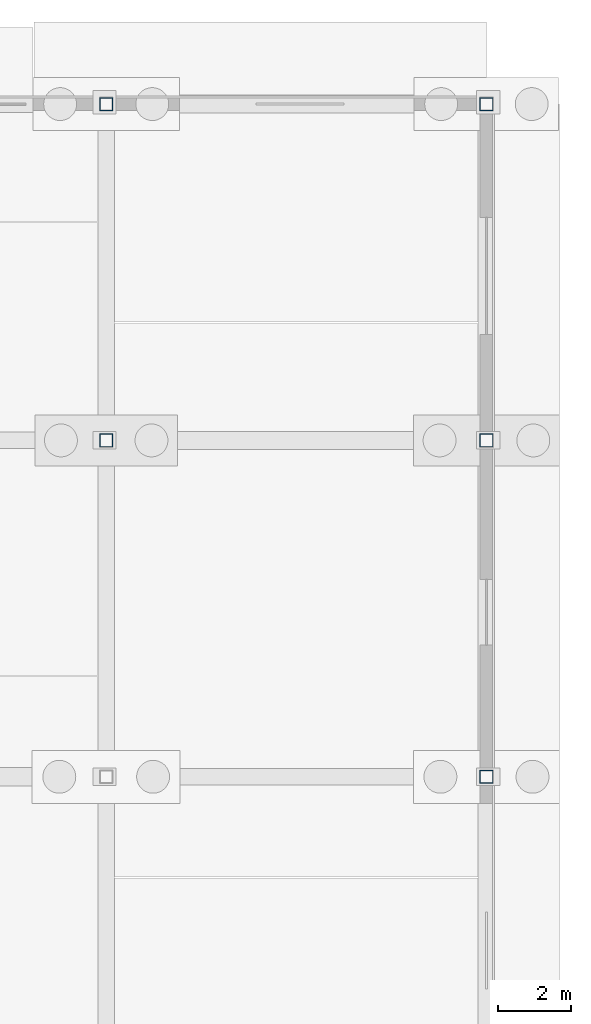
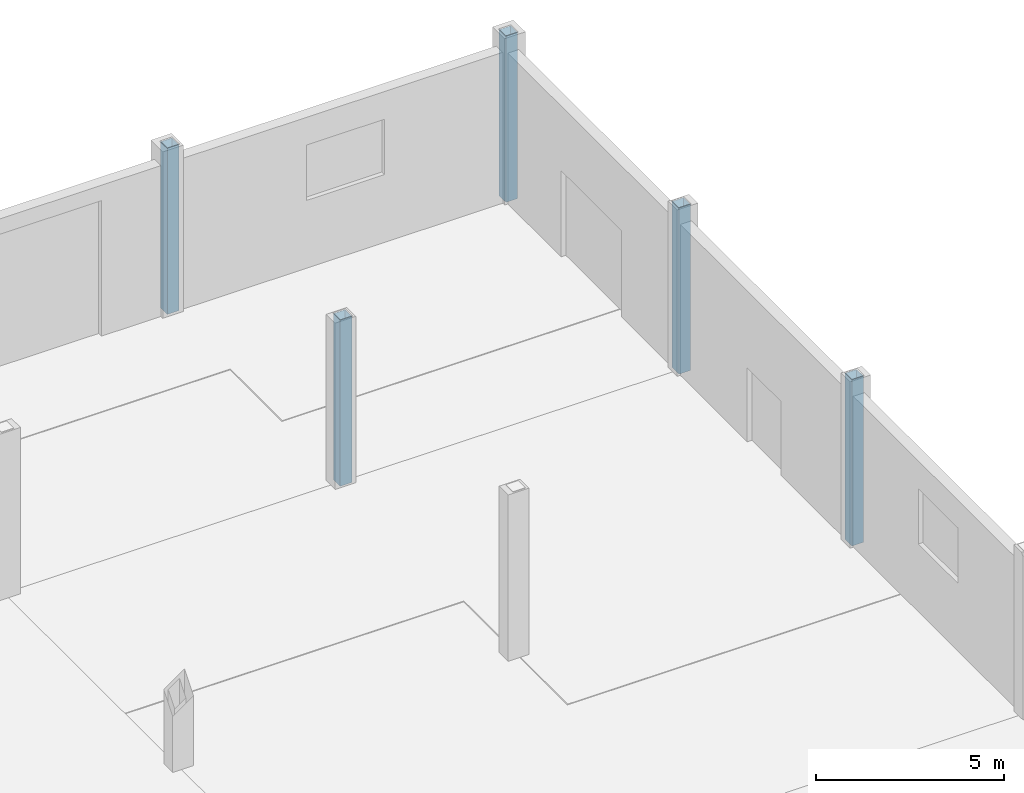
# One storey, part 35 of 83: 5 columns.
"""IFC4 building model written with IfcOpenShell, lengths in metres."""

from ifc_helpers import new_model, si_unit, direction, frame, origin, origin_2d, place, context, subcontext, project, spatial, hollow_rectangle, extrude, material, material_profile, profile_set, type_object, element, save


model = new_model("IFC4")

# Units and contexts
model_context = context("Model", 3, precision=1e-05, world=origin(), true_north=direction((0.0, 1.0)))
body_context = subcontext(model_context, "Body", "Model", "MODEL_VIEW")
ifc_project = project(units=[si_unit("LENGTHUNIT", "METRE"), si_unit("AREAUNIT", "SQUARE_METRE"), si_unit("VOLUMEUNIT", "CUBIC_METRE"), si_unit("PLANEANGLEUNIT", "RADIAN"), si_unit("MASSUNIT", "GRAM", prefix="KILO")], contexts=[model_context])

# Site, building, storey
site_placement = place(None, origin())
site = spatial("IfcSite", under=ifc_project, at=site_placement, CompositionType="ELEMENT")
building_placement = place(site_placement, origin())
building = spatial("IfcBuilding", under=site, at=building_placement, Name="Caurita Quay Ferry Terminal", CompositionType="ELEMENT")
storey_placement = place(building_placement, origin())
storey = spatial("IfcBuildingStorey", under=building, at=storey_placement, Name="L00", CompositionType="ELEMENT", Elevation=0.0)

# Columns
ifc_material = material(Name="Hollow structural steel ASTM A500 Gr. C", Category="steel")
ifc_material_profile = material_profile(ifc_material, hollow_rectangle(XDim=0.35595703125, YDim=0.35595703125, WallThickness=0.01171875, at=origin_2d()), Name="HSS14X14X1/2")
ifc_profile_set = profile_set([ifc_material_profile], Name="Hollow structural steel ASTM A500 Gr. C")
column_type = type_object("IfcColumnType", Name="COL-HSS-01", PredefinedType="COLUMN", material=ifc_profile_set)
for number, where, z_axis, x_axis, name in (
    (1, (163.60009765625, 107.800048828125, 0.0), (0.0, 0.0, 1.0), (1.0, 0.0, 0.0), "L00 Column V4-18-Q"),
    (2, (163.60009765625, 117.0, 0.0), (0.0, 0.0, 1.0), (1.0, 0.0, 0.0), "L00 Column V4-18-R"),
    (3, (174.0, 98.60009765625, 0.0), (0.0, 0.0, 1.0), (1.0, 0.0, 0.0), "L00 Column V4-19-P"),
    (4, (174.0, 107.800048828125, 0.0), (0.0, 0.0, 1.0), (1.0, 0.0, 0.0), "L00 Column V4-19-Q"),
    (5, (174.0, 117.0, 0.0), (0.0, 0.0, 1.0), (1.0, 0.0, 0.0), "L00 Column V4-19-R"),
):
    element("IfcColumn", number, at=place(storey_placement, frame(where, z_axis=z_axis, x_axis=x_axis)), inside=storey, type_object=column_type, Name=name, PredefinedType="COLUMN", context=body_context, shape_type="SweptSolid", body=[
        extrude(hollow_rectangle(XDim=0.35595703125, YDim=0.35595703125, WallThickness=0.01171875, at=origin_2d()), origin(), (0.0, 0.0, 1.0), 5.39990234375),
    ])

save(model, "model.ifc")
